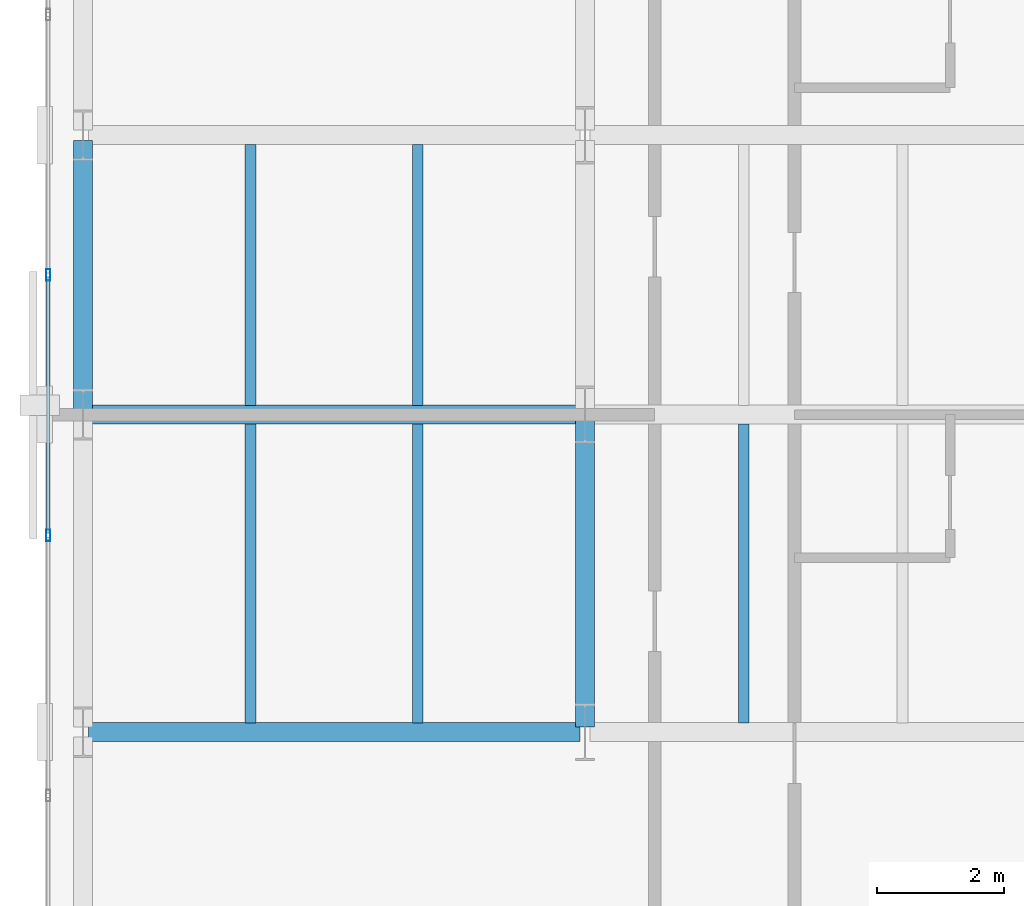
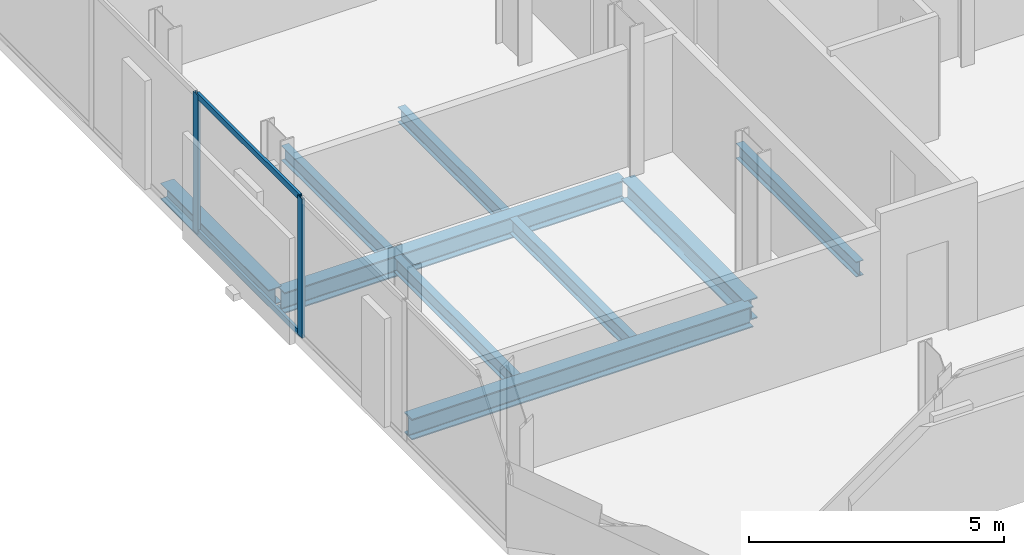
# One storey, part 5 of 32: 9 beams, 4 members, 1 element without a shape of its own.
"""IFC4 building model written with IfcOpenShell, lengths in metres."""

import ifcopenshell
import ifcopenshell.guid

model = None  # the IFC model being written
_history = None  # IfcOwnerHistory: only IFC2X3 demands one
_inside = {}  # id of a spatial element -> (the spatial element, [elements in it])
_under = {}  # id of a project, library or spatial element -> (it, [spatial elements below it])
_declared = {}  # id of a project -> (the project, [libraries it declares])
_typed = {}  # id of a type object -> (the type object, [elements of that type])
_made_of = {}  # id of a material, layer set ... -> (it, [elements and type objects made of it])


def new_model(schema):
    """Start an empty IFC model of exactly this schema.

    Asked for "IFC4X3", IfcOpenShell would pick the latest addendum, in which some entities
    have other attributes; the version numbers below select the first issue.
    IFC2X3 requires an IfcOwnerHistory on every rooted entity: one is made here for all.
    """
    global model, _history
    if schema == "IFC4X3":
        model = ifcopenshell.file(schema_version=(4, 3, 0, 0))
    else:
        model = ifcopenshell.file(schema=schema)
    _inside.clear()
    _under.clear()
    _declared.clear()
    _typed.clear()
    _made_of.clear()
    _history = None
    if model.schema == "IFC2X3":
        org = make("IfcOrganization", Name="unknown")
        user = make(
            "IfcPersonAndOrganization",
            ThePerson=make("IfcPerson", FamilyName="unknown"),
            TheOrganization=org,
        )
        app = make(
            "IfcApplication",
            ApplicationDeveloper=org,
            Version="unknown",
            ApplicationFullName="unknown",
            ApplicationIdentifier="unknown",
        )
        _history = make(
            "IfcOwnerHistory",
            OwningUser=user,
            OwningApplication=app,
            ChangeAction="ADDED",
            CreationDate=0,
        )
    return model


def make(cls, **values):
    """One entity of the class cls with the attributes given. An attribute that is None is left unset."""
    return model.create_entity(
        cls, **{name: value for name, value in values.items() if value is not None}
    )


def rooted(cls, **values):
    """An entity with a GlobalId (a new one), such as an element, a storey or a relation."""
    return make(cls, GlobalId=ifcopenshell.guid.new(), OwnerHistory=_history, **values)


def si_unit(unit_type, name, prefix=None):
    """IfcSIUnit, for example si_unit("LENGTHUNIT", "METRE", prefix="MILLI")."""
    return make("IfcSIUnit", UnitType=unit_type, Prefix=prefix, Name=name)


def assignment(units):
    """IfcUnitAssignment: the units of a project."""
    return None if units is None else make("IfcUnitAssignment", Units=units)


def point(xyz):
    """IfcCartesianPoint."""
    return None if xyz is None else make("IfcCartesianPoint", Coordinates=xyz)


def direction(xyz):
    """IfcDirection."""
    return None if xyz is None else make("IfcDirection", DirectionRatios=xyz)


def frame(location, z_axis=None, x_axis=None):
    """IfcAxis2Placement3D, a coordinate frame: its origin and axes. An axis left out is left unset."""
    return make(
        "IfcAxis2Placement3D",
        Location=point(location),
        Axis=direction(z_axis),
        RefDirection=direction(x_axis),
    )


def frame_2d(location, x_axis=None):
    """IfcAxis2Placement2D, a coordinate frame in the plane: its origin and x axis."""
    return make(
        "IfcAxis2Placement2D", Location=point(location), RefDirection=direction(x_axis)
    )


def origin():
    """The frame at (0, 0, 0) with its axes left unset."""
    return frame((0.0, 0.0, 0.0))


def origin_2d():
    """The frame at (0, 0) in the plane with its x axis left unset."""
    return frame_2d((0.0, 0.0))


def place(relative_to, where):
    """IfcLocalPlacement: puts the frame where relative to a parent placement (None: the world)."""
    return make(
        "IfcLocalPlacement", PlacementRelTo=relative_to, RelativePlacement=where
    )


def context(
    kind, dimensions, precision=None, world=None, true_north=None, identifier=None
):
    """IfcGeometricRepresentationContext, for example the 3D "Model" context."""
    return make(
        "IfcGeometricRepresentationContext",
        ContextIdentifier=identifier,
        ContextType=kind,
        CoordinateSpaceDimension=dimensions,
        Precision=precision,
        WorldCoordinateSystem=world,
        TrueNorth=true_north,
    )


def subcontext(parent, identifier, kind, view, scale=None):
    """IfcGeometricRepresentationSubContext, for example "Body" below "Model"."""
    return make(
        "IfcGeometricRepresentationSubContext",
        ContextIdentifier=identifier,
        ContextType=kind,
        ParentContext=parent,
        TargetScale=scale,
        TargetView=view,
    )


def project(units=None, contexts=None):
    """IfcProject with its units and contexts."""
    return rooted(
        "IfcProject",
        Name="project",
        RepresentationContexts=contexts,
        UnitsInContext=assignment(units),
    )


def spatial(cls, under=None, at=None, **own):
    """A site, building, storey or space (cls), placed at a placement, below another one or the project."""
    s = rooted(cls, ObjectPlacement=at, **own)
    if under is not None:
        _under.setdefault(under.id(), (under, []))[1].append(s)
    return s


def profile(cls, at=None, kind="AREA", **sizes):
    """A parametric profile (cls). Its sizes go by their IFC names, for example OverallWidth=200.0."""
    return make(cls, ProfileType=kind, Position=at, **sizes)


def hollow_rectangle(**sizes):
    """IfcRectangleHollowProfileDef."""
    return profile("IfcRectangleHollowProfileDef", **sizes)


def i_section(**sizes):
    """IfcIShapeProfileDef."""
    return profile("IfcIShapeProfileDef", **sizes)


def extrude(swept, where, along, depth):
    """IfcExtrudedAreaSolid: the profile swept, set in the frame where, extruded along a direction by depth."""
    return make(
        "IfcExtrudedAreaSolid",
        SweptArea=swept,
        Position=where,
        ExtrudedDirection=direction(along),
        Depth=depth,
    )


def shape(context_of_items, identifier, shape_type, items):
    """IfcShapeRepresentation: the items that make up one representation, for example the "Body"."""
    return make(
        "IfcShapeRepresentation",
        ContextOfItems=context_of_items,
        RepresentationIdentifier=identifier,
        RepresentationType=shape_type,
        Items=items,
    )


def material(Name=None, Category=None):
    """IfcMaterial."""
    return make("IfcMaterial", Name=Name, Category=Category)


def layer(
    of_material, thickness, ventilated=None, Name=None, Category=None, Priority=None
):
    """IfcMaterialLayer: one layer of a wall or slab, of a material (None: an air gap)."""
    return make(
        "IfcMaterialLayer",
        Material=of_material,
        LayerThickness=thickness,
        IsVentilated=ventilated,
        Name=Name,
        Category=Category,
        Priority=Priority,
    )


def layer_set(layers, Name=None):
    """IfcMaterialLayerSet."""
    return make("IfcMaterialLayerSet", MaterialLayers=layers, LayerSetName=Name)


def material_profile(
    of_material, cross_section, Name=None, Category=None, Priority=None
):
    """IfcMaterialProfile: a cross section and its material."""
    return make(
        "IfcMaterialProfile",
        Name=Name,
        Material=of_material,
        Profile=cross_section,
        Priority=Priority,
        Category=Category,
    )


def profile_set(profiles, Name=None, composite=None):
    """IfcMaterialProfileSet."""
    return make(
        "IfcMaterialProfileSet",
        Name=Name,
        MaterialProfiles=profiles,
        CompositeProfile=composite,
    )


def made_of(thing, what):
    """Note that an element or type object is made of a material, layer set ...; save() writes the relation."""
    if what is not None:
        _made_of.setdefault(what.id(), (what, []))[1].append(thing)
    return thing


def type_object(cls, material=None, **own):
    """A type object (cls), such as IfcWallType, which elements share."""
    return made_of(rooted(cls, **own), material)


def element(
    cls,
    number,
    at=None,
    inside=None,
    cuts=None,
    type_object=None,
    material=None,
    context=None,
    identifier="Body",
    shape_type=None,
    held_by="IfcProductDefinitionShape",
    body=None,
    shapes=None,
    **own,
):
    """One element of the class cls, such as IfcWall. Its Tag is "e" and its number.

    at: its placement. inside: the storey or other place that contains it. cuts: it is an
    opening in that element (IfcRelVoidsElement). A single representation is given by context,
    identifier, shape_type and body (its items); several are given by shapes. held_by: the class
    of the entity that holds the representations. save() writes the other relations.
    """
    e = rooted(cls, Tag="e%d" % number, ObjectPlacement=at, **own)
    if body is not None:
        shapes = [shape(context, identifier, shape_type, body)]
    if shapes is not None:
        e.Representation = make(held_by, Representations=shapes)
    if inside is not None:
        _inside.setdefault(inside.id(), (inside, []))[1].append(e)
    if cuts is not None:
        rooted(
            "IfcRelVoidsElement", RelatingBuildingElement=cuts, RelatedOpeningElement=e
        )
    if type_object is not None:
        _typed.setdefault(type_object.id(), (type_object, []))[1].append(e)
    return made_of(e, material)


def aggregate(whole, parts):
    """IfcRelAggregates: a whole, such as a stair, and the parts it consists of."""
    return rooted("IfcRelAggregates", RelatingObject=whole, RelatedObjects=parts)


def save(model, path):
    """Write the relations noted so far, then the file.

    IfcRelAggregates (storeys below a building ...), IfcRelContainedInSpatialStructure (elements
    in a storey), IfcRelDefinesByType, IfcRelAssociatesMaterial and IfcRelDeclares: one each for
    every whole, place, type object, material and project.
    """
    for whole, parts in _under.values():
        aggregate(whole, parts)
    for where, things in _inside.values():
        rooted(
            "IfcRelContainedInSpatialStructure",
            RelatedElements=things,
            RelatingStructure=where,
        )
    for kind, things in _typed.values():
        rooted("IfcRelDefinesByType", RelatedObjects=things, RelatingType=kind)
    for what, things in _made_of.values():
        rooted("IfcRelAssociatesMaterial", RelatedObjects=things, RelatingMaterial=what)
    for by, libraries in _declared.values():
        rooted("IfcRelDeclares", RelatingContext=by, RelatedDefinitions=libraries)
    model.write(path)


model = new_model("IFC4")

# Units and contexts
model_context = context("Model", 3, precision=1e-05, world=origin(), true_north=direction((0.0, 1.0)))
body_context = subcontext(model_context, "Body", "Model", "MODEL_VIEW")
ifc_project = project(units=[si_unit("LENGTHUNIT", "METRE"), si_unit("AREAUNIT", "SQUARE_METRE"), si_unit("VOLUMEUNIT", "CUBIC_METRE"), si_unit("PLANEANGLEUNIT", "RADIAN"), si_unit("MASSUNIT", "GRAM", prefix="KILO")], contexts=[model_context])

# Site, building, storey
site_placement = place(None, origin())
site = spatial("IfcSite", under=ifc_project, at=site_placement, CompositionType="ELEMENT")
building_placement = place(site_placement, origin())
building = spatial("IfcBuilding", under=site, at=building_placement, Name="Catumbela Crestline Tower", CompositionType="ELEMENT")
storey_placement = place(building_placement, frame((0.0, 0.0, 61.8)))
storey = spatial("IfcBuildingStorey", under=building, at=storey_placement, Name="L15", CompositionType="ELEMENT", Elevation=61.8)

# Beams
ifc_material_1 = material(Name="Structural steel S355J2", Category="steel")
ifc_material_profile_1 = material_profile(ifc_material_1, i_section(OverallWidth=0.3, OverallDepth=0.5, WebThickness=0.0145, FlangeThickness=0.028, FilletRadius=0.027, at=origin_2d()), Name="HEB 500")
ifc_profile_set_1 = profile_set([ifc_material_profile_1], Name="Structural steel S355J2")
beam_type_1 = type_object("IfcBeamType", Name="BG-HEB500", PredefinedType="BEAM", material=ifc_profile_set_1)
for number, where, z_axis, x_axis, name in (
    (1, (0.68, 8.6, -0.51), (1.0, 0.0, 0.0), (0.0, 1.0, 0.0), "L15 Beam BM-L15-WEW48"),
    (2, (0.68, 13.6, -0.51), (1.0, 0.0, 0.0), (0.0, 1.0, 0.0), "L15 Beam BM-L15-WEW51"),
):
    element("IfcBeam", number, at=place(storey_placement, frame(where, z_axis=z_axis, x_axis=x_axis)), inside=storey, type_object=beam_type_1, Name=name, PredefinedType="BEAM", context=body_context, shape_type="SweptSolid", body=[
        extrude(i_section(OverallWidth=0.3, OverallDepth=0.5, WebThickness=0.0145, FlangeThickness=0.028, FilletRadius=0.027, at=origin_2d()), origin(), (0.0, 0.0, 1.0), 7.74),
    ])
beam_1_placement = place(storey_placement, frame((8.5, 8.68, -0.51), z_axis=(0.0, 1.0, 0.0), x_axis=(-1.0, 0.0, 0.0)))
element("IfcBeam", 3, at=beam_1_placement, inside=storey, type_object=beam_type_1, Name="L15 Beam BM-L15-WNS61", PredefinedType="BEAM", context=body_context, shape_type="SweptSolid", body=[
    extrude(i_section(OverallWidth=0.3, OverallDepth=0.5, WebThickness=0.0145, FlangeThickness=0.028, FilletRadius=0.027, at=origin_2d()), origin(), (0.0, 0.0, 1.0), 4.84),
])
ifc_material_profile_2 = material_profile(ifc_material_1, i_section(OverallWidth=0.17, OverallDepth=0.36, WebThickness=0.008, FlangeThickness=0.0127, FilletRadius=0.018, at=origin_2d()), Name="IPE 360")
ifc_profile_set_2 = profile_set([ifc_material_profile_2], Name="Structural steel S355J2")
beam_type_2 = type_object("IfcBeamType", Name="BJ-IPE360", PredefinedType="JOIST", material=ifc_profile_set_2)
for number, where, z_axis, x_axis, name in (
    (4, (3.233, 8.747, -0.44), (0.0, 1.0, 0.0), (-1.0, 0.0, 0.0), "L15 Joist JS-L15-WG70"),
    (5, (5.867, 8.747, -0.44), (0.0, 1.0, 0.0), (-1.0, 0.0, 0.0), "L15 Joist JS-L15-WG71"),
    (6, (11.0, 8.747, -0.44), (0.0, 1.0, 0.0), (-1.0, 0.0, 0.0), "L15 Joist JS-L15-WG72"),
):
    element("IfcBeam", number, at=place(storey_placement, frame(where, z_axis=z_axis, x_axis=x_axis)), inside=storey, type_object=beam_type_2, Name=name, PredefinedType="JOIST", context=body_context, shape_type="SweptSolid", body=[
        extrude(i_section(OverallWidth=0.17, OverallDepth=0.36, WebThickness=0.008, FlangeThickness=0.0127, FilletRadius=0.018, at=origin_2d()), origin(), (0.0, 0.0, 1.0), 4.706),
    ])
for number, where, z_axis, x_axis, name in (
    (7, (3.233, 13.747, -0.44), (0.0, 1.0, 0.0), (-1.0, 0.0, 0.0), "L15 Joist JS-L15-WG76"),
    (8, (5.867, 13.747, -0.44), (0.0, 1.0, 0.0), (-1.0, 0.0, 0.0), "L15 Joist JS-L15-WG77"),
):
    element("IfcBeam", number, at=place(storey_placement, frame(where, z_axis=z_axis, x_axis=x_axis)), inside=storey, type_object=beam_type_2, Name=name, PredefinedType="JOIST", context=body_context, shape_type="SweptSolid", body=[
        extrude(i_section(OverallWidth=0.17, OverallDepth=0.36, WebThickness=0.008, FlangeThickness=0.0127, FilletRadius=0.018, at=origin_2d()), origin(), (0.0, 0.0, 1.0), 4.106),
    ])

# Curtain wall, members
ifc_material_2 = material(Name="Aluminium alloy AW-6060-T66", Category="aluminium")
ifc_layer = layer(ifc_material_2, 0.18, Name="Aluminium alloy AW-6060-T66")
ifc_layer_set = layer_set([ifc_layer], Name="Aluminium alloy AW-6060-T66")
curtain_wall_type = type_object("IfcCurtainWallType", Name="CWU-Z1", PredefinedType="USERDEFINED", material=ifc_layer_set)
curtain_wall_placement = place(storey_placement, origin())
curtain_wall = element("IfcCurtainWall", 9, at=curtain_wall_placement, inside=storey, type_object=curtain_wall_type, Name="L15 Unitised Curtain Wall CW-L15-E9S1", ObjectType="UNITISED", PredefinedType="USERDEFINED")
ifc_material_profile_3 = material_profile(ifc_material_2, hollow_rectangle(XDim=0.065, YDim=0.18, WallThickness=0.004, at=origin_2d()), Name="ALU 180x65x4")
ifc_profile_set_3 = profile_set([ifc_material_profile_3], Name="Aluminium alloy AW-6060-T66")
member_type_1 = type_object("IfcMemberType", Name="MUL-180X65", PredefinedType="MULLION", material=ifc_profile_set_3)
member_1_placement = place(storey_placement, frame((0.05, 15.8, 0.0), z_axis=(0.0, 0.0, 1.0), x_axis=(1.0, 0.0, 0.0)))
member_1 = element("IfcMember", 10, at=member_1_placement, type_object=member_type_1, Name="CWU-Z1 mullion 8", PredefinedType="MULLION", context=body_context, shape_type="SweptSolid", body=[
    extrude(hollow_rectangle(XDim=0.065, YDim=0.18, WallThickness=0.004, at=origin_2d()), origin(), (0.0, 0.0, 1.0), 3.33),
])
member_2_placement = place(storey_placement, frame((0.05, 11.7, 0.0), z_axis=(0.0, 0.0, 1.0), x_axis=(1.0, 0.0, 0.0)))
member_2 = element("IfcMember", 11, at=member_2_placement, type_object=member_type_1, Name="CWU-Z1 mullion 9", PredefinedType="MULLION", context=body_context, shape_type="SweptSolid", body=[
    extrude(hollow_rectangle(XDim=0.065, YDim=0.18, WallThickness=0.004, at=origin_2d()), origin(), (0.0, 0.0, 1.0), 3.33),
])

# Beam
ifc_material_profile_4 = material_profile(ifc_material_1, i_section(OverallWidth=0.3, OverallDepth=0.39, WebThickness=0.011, FlangeThickness=0.019, FilletRadius=0.027, at=origin_2d()), Name="HEA 400")
ifc_profile_set_4 = profile_set([ifc_material_profile_4], Name="Structural steel S355J2")
beam_type_3 = type_object("IfcBeamType", Name="BS-HEA400", PredefinedType="SPANDREL", material=ifc_profile_set_4)
beam_2_placement = place(storey_placement, frame((0.6, 13.68, -0.455), z_axis=(0.0, 1.0, 0.0), x_axis=(-1.0, 0.0, 0.0)))
element("IfcBeam", 12, at=beam_2_placement, inside=storey, type_object=beam_type_3, Name="L15 Spandrel SP-L15-WNS59", PredefinedType="SPANDREL", context=body_context, shape_type="SweptSolid", body=[
    extrude(i_section(OverallWidth=0.3, OverallDepth=0.39, WebThickness=0.011, FlangeThickness=0.019, FilletRadius=0.027, at=origin_2d()), origin(), (0.0, 0.0, 1.0), 4.24),
])

# Member
ifc_material_profile_5 = material_profile(ifc_material_2, hollow_rectangle(XDim=0.06, YDim=0.14, WallThickness=0.004, at=origin_2d()), Name="ALU 140x60x4")
ifc_profile_set_5 = profile_set([ifc_material_profile_5], Name="Aluminium alloy AW-6060-T66")
member_type_2 = type_object("IfcMemberType", Name="TRN-140X60", PredefinedType="USERDEFINED", material=ifc_profile_set_5)
member_3_placement = place(storey_placement, frame((0.05, 15.7675, 0.03), z_axis=(0.0, -1.0, 0.0), x_axis=(1.0, 0.0, 0.0)))
member_3 = element("IfcMember", 13, at=member_3_placement, type_object=member_type_2, Name="CWU-Z1 transom 8.1", ObjectType="TRANSOM", PredefinedType="USERDEFINED", context=body_context, shape_type="SweptSolid", body=[
    extrude(hollow_rectangle(XDim=0.06, YDim=0.14, WallThickness=0.004, at=origin_2d()), origin(), (0.0, 0.0, 1.0), 4.035),
])

member_4_placement = place(storey_placement, frame((0.05, 15.7675, 3.3), z_axis=(0.0, -1.0, 0.0), x_axis=(1.0, 0.0, 0.0)))
member_4 = element("IfcMember", 14, at=member_4_placement, type_object=member_type_2, Name="CWU-Z1 transom 8.2", ObjectType="TRANSOM", PredefinedType="USERDEFINED", context=body_context, shape_type="SweptSolid", body=[
    extrude(hollow_rectangle(XDim=0.06, YDim=0.14, WallThickness=0.004, at=origin_2d()), origin(), (0.0, 0.0, 1.0), 4.035),
])

aggregate(curtain_wall, [member_1, member_2, member_3, member_4])

save(model, "model.ifc")
